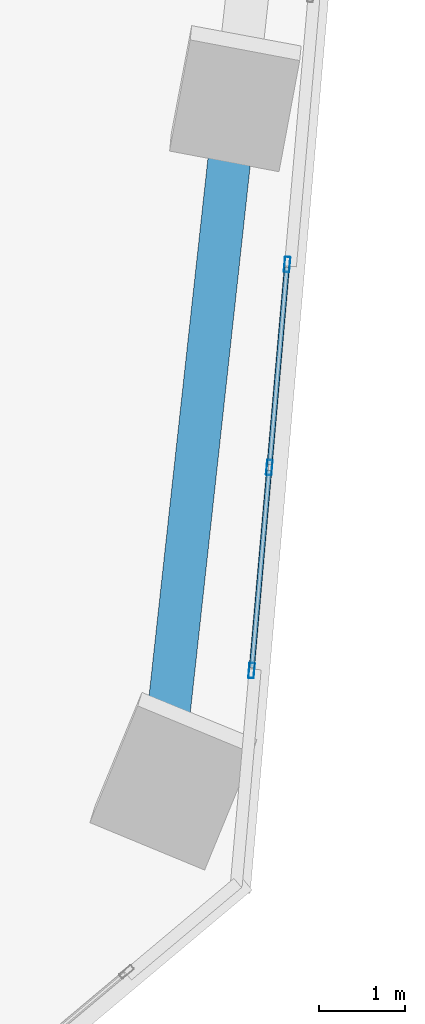
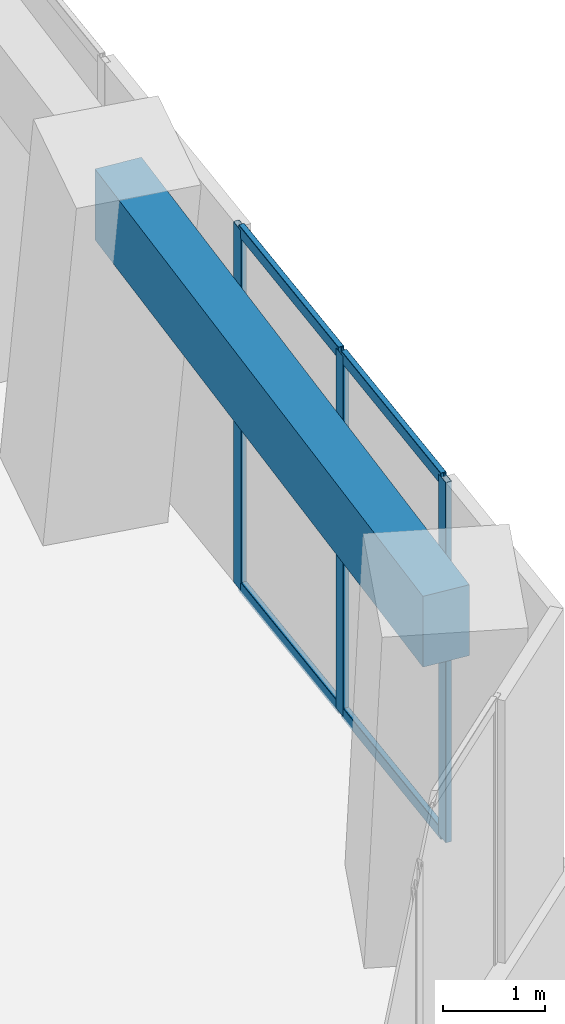
# One storey, part 10 of 24: 7 members, 1 beam, 1 element without a shape of its own.
"""IFC4 building model written with IfcOpenShell, lengths in metres."""

from ifc_helpers import new_model, si_unit, direction, frame, origin, origin_2d, place, context, subcontext, project, spatial, rectangle, hollow_rectangle, extrude, source, transform, mapped, material, material_profile, profile_set, type_object, element, aggregate, save


model = new_model("IFC4")

# Units and contexts
model_context = context("Model", 3, precision=1e-05, world=origin(), true_north=direction((0.0, 1.0)))
body_context = subcontext(model_context, "Body", "Model", "MODEL_VIEW")
ifc_project = project(units=[si_unit("LENGTHUNIT", "METRE"), si_unit("AREAUNIT", "SQUARE_METRE"), si_unit("VOLUMEUNIT", "CUBIC_METRE"), si_unit("PLANEANGLEUNIT", "RADIAN"), si_unit("MASSUNIT", "GRAM", prefix="KILO")], contexts=[model_context])

# Site, building, storey
site_placement = place(None, origin())
site = spatial("IfcSite", under=ifc_project, at=site_placement, CompositionType="ELEMENT")
building_placement = place(site_placement, origin())
building = spatial("IfcBuilding", under=site, at=building_placement, Name="Torre Montelarca", CompositionType="ELEMENT")
storey_placement = place(building_placement, frame((0.0, 0.0, 52.0)))
storey = spatial("IfcBuildingStorey", under=building, at=storey_placement, Name="L11", CompositionType="ELEMENT", Elevation=52.0)

# Beam
ifc_material_1 = material(Name="Concrete C55/67", Category="concrete")
ifc_material_profile_1 = material_profile(ifc_material_1, rectangle(XDim=0.5, YDim=0.85009765625, at=origin_2d()), Name="RCB500X850", Category="concrete")
ifc_profile_set_1 = profile_set([ifc_material_profile_1], Name="Concrete C55/67")
beam_type = type_object("IfcBeamType", Name="BM-SP-RC850-EXT", PredefinedType="SPANDREL", material=ifc_profile_set_1)
shared_shape_1 = source(origin(), body_context, "Body", "SweptSolid", [
    extrude(rectangle(XDim=0.5, YDim=0.85009765625, at=origin_2d()), origin(), (0.0, 0.0, 1.0), 8.0),
])
beam_placement = place(storey_placement, frame((58.900146484375, 19.856201171875, 4.135009765625), z_axis=(0.108887269961, 0.994054104383, 0.0), x_axis=(-0.994054104383, 0.108887269961, 0.0)))
element("IfcBeam", 1, at=beam_placement, inside=storey, type_object=beam_type, Name="L11 Grid Girder Y 24.0-32.0 at X=60.0", PredefinedType="SPANDREL", context=body_context, shape_type="MappedRepresentation", body=[
    mapped(shared_shape_1, transform((0.0, 0.0, 0.0), scale=1.0)),
])

# Curtain wall, members
ifc_material_2 = material(Name="Insulated low-E laminated glass", Category="glass")
curtain_wall_type = type_object("IfcCurtainWallType", Name="CW-SYS-Z1", PredefinedType="USERDEFINED", material=ifc_material_2)
curtain_wall_placement = place(storey_placement, origin())
curtain_wall = element("IfcCurtainWall", 2, at=curtain_wall_placement, inside=storey, type_object=curtain_wall_type, Name="L11 Curtain Wall Run CW-T3-L11-E06-B1", ObjectType="UNITISED GLAZING", PredefinedType="USERDEFINED")
ifc_material_3 = material(Name="Anodised aluminium AA 6063-T6", Category="aluminium")
ifc_material_profile_2 = material_profile(ifc_material_3, hollow_rectangle(XDim=0.06494140625, YDim=0.179931640625, WallThickness=0.00390625, InnerFilletRadius=0.00390625, OuterFilletRadius=0.008056640625, at=origin_2d()), Name="ALU65X180X4", Category="aluminium")
ifc_profile_set_2 = profile_set([ifc_material_profile_2], Name="Anodised aluminium AA 6063-T6")
member_type_1 = type_object("IfcMemberType", Name="CWM-ALU180", PredefinedType="MULLION", material=ifc_profile_set_2)
shared_shape_2 = source(origin(), body_context, "Body", "SweptSolid", [
    extrude(hollow_rectangle(XDim=0.06494140625, YDim=0.179931640625, WallThickness=0.00390625, InnerFilletRadius=0.00390625, OuterFilletRadius=0.008056640625, at=origin_2d()), origin(), (0.0, 0.0, 1.0), 4.320068359375),
])
member_1_placement = place(storey_placement, frame((60.03125, 21.840576171875, 0.0), z_axis=(0.0, 0.0, 1.0), x_axis=(-0.996193627515, 0.087167978634, 0.0)))
member_1 = element("IfcMember", 3, at=member_1_placement, type_object=member_type_1, Name="CW mullion 1", PredefinedType="MULLION", context=body_context, shape_type="MappedRepresentation", body=[
    mapped(shared_shape_2, transform((0.0, 0.0, 0.0), scale=1.0)),
])
member_2_placement = place(storey_placement, frame((60.238525390625, 24.211669921875, 0.0), z_axis=(0.0, 0.0, 1.0), x_axis=(-0.996193627515, 0.087167978634, 0.0)))
member_2 = element("IfcMember", 4, at=member_2_placement, type_object=member_type_1, Name="CW mullion 2", PredefinedType="MULLION", context=body_context, shape_type="MappedRepresentation", body=[
    mapped(shared_shape_2, transform((0.0, 0.0, 0.0), scale=1.0)),
])
member_3_placement = place(storey_placement, frame((60.446044921875, 26.58251953125, 0.0), z_axis=(0.0, 0.0, 1.0), x_axis=(-0.996193627515, 0.087167978634, 0.0)))
member_3 = element("IfcMember", 5, at=member_3_placement, type_object=member_type_1, Name="CW mullion 3", PredefinedType="MULLION", context=body_context, shape_type="MappedRepresentation", body=[
    mapped(shared_shape_2, transform((0.0, 0.0, 0.0), scale=1.0)),
])
ifc_material_profile_3 = material_profile(ifc_material_3, hollow_rectangle(XDim=0.06494140625, YDim=0.139892578125, WallThickness=0.00390625, InnerFilletRadius=0.00390625, OuterFilletRadius=0.008056640625, at=origin_2d()), Name="ALU65X140X4", Category="aluminium")
ifc_profile_set_3 = profile_set([ifc_material_profile_3], Name="Anodised aluminium AA 6063-T6")
member_type_2 = type_object("IfcMemberType", Name="CWT-ALU140", PredefinedType="USERDEFINED", material=ifc_profile_set_3)
shared_shape_3 = source(origin(), body_context, "Body", "SweptSolid", [
    extrude(hollow_rectangle(XDim=0.06494140625, YDim=0.139892578125, WallThickness=0.00390625, InnerFilletRadius=0.00390625, OuterFilletRadius=0.008056640625, at=origin_2d()), origin(), (0.0, 0.0, 1.0), 2.31494140625),
])
member_4_placement = place(storey_placement, frame((60.033935546875, 21.873046875, 0.032470703125), z_axis=(0.087216663767, 0.996189366316, 0.0), x_axis=(-0.996189366316, 0.087216663767, 0.0)))
member_4 = element("IfcMember", 6, at=member_4_placement, type_object=member_type_2, Name="CW transom 1.1", ObjectType="TRANSOM", PredefinedType="USERDEFINED", context=body_context, shape_type="MappedRepresentation", body=[
    mapped(shared_shape_3, transform((0.0, 0.0, 0.0), scale=1.0)),
])
member_5_placement = place(storey_placement, frame((60.033935546875, 21.873046875, 4.28759765625), z_axis=(0.087216663767, 0.996189366316, 0.0), x_axis=(-0.996189366316, 0.087216663767, 0.0)))
member_5 = element("IfcMember", 7, at=member_5_placement, type_object=member_type_2, Name="CW transom 1.2", ObjectType="TRANSOM", PredefinedType="USERDEFINED", context=body_context, shape_type="MappedRepresentation", body=[
    mapped(shared_shape_3, transform((0.0, 0.0, 0.0), scale=1.0)),
])
shared_shape_4 = source(origin(), body_context, "Body", "SweptSolid", [
    extrude(hollow_rectangle(XDim=0.06494140625, YDim=0.139892578125, WallThickness=0.00390625, InnerFilletRadius=0.00390625, OuterFilletRadius=0.008056640625, at=origin_2d()), origin(), (0.0, 0.0, 1.0), 2.315185546875),
])
member_6_placement = place(storey_placement, frame((60.241455078125, 24.243896484375, 0.032470703125), z_axis=(0.087102851873, 0.996199324029, 0.0), x_axis=(-0.996199324029, 0.087102851873, 0.0)))
member_6 = element("IfcMember", 8, at=member_6_placement, type_object=member_type_2, Name="CW transom 2.1", ObjectType="TRANSOM", PredefinedType="USERDEFINED", context=body_context, shape_type="MappedRepresentation", body=[
    mapped(shared_shape_4, transform((0.0, 0.0, 0.0), scale=1.0)),
])
member_7_placement = place(storey_placement, frame((60.241455078125, 24.243896484375, 4.28759765625), z_axis=(0.087102851873, 0.996199324029, 0.0), x_axis=(-0.996199324029, 0.087102851873, 0.0)))
member_7 = element("IfcMember", 9, at=member_7_placement, type_object=member_type_2, Name="CW transom 2.2", ObjectType="TRANSOM", PredefinedType="USERDEFINED", context=body_context, shape_type="MappedRepresentation", body=[
    mapped(shared_shape_4, transform((0.0, 0.0, 0.0), scale=1.0)),
])
aggregate(curtain_wall, [member_1, member_2, member_3, member_4, member_5, member_6, member_7])

save(model, "model.ifc")
